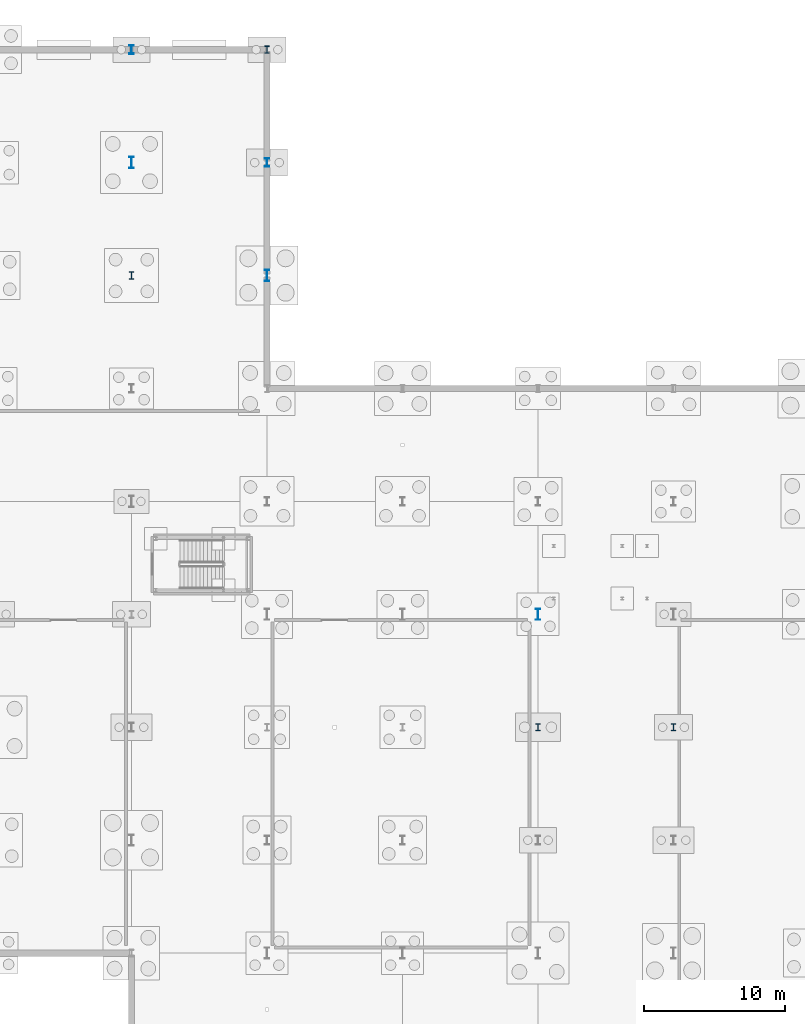
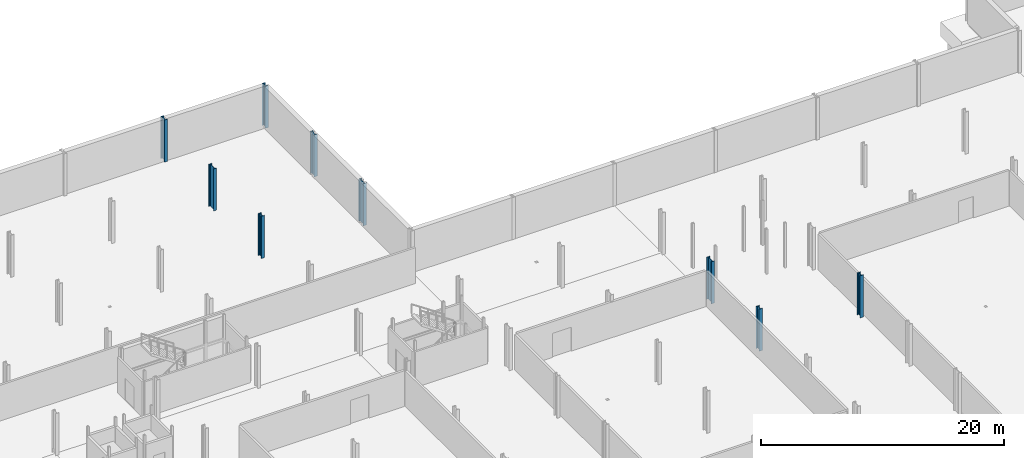
# One storey, part 23 of 47: 9 columns.
"""IFC4 building model written with IfcOpenShell, lengths in metres."""

from ifc_helpers import new_model, si_unit, direction, frame, origin, origin_2d, place, context, subcontext, project, spatial, i_section, extrude, material, material_profile, profile_set, type_object, element, save


model = new_model("IFC4")

# Units and contexts
model_context = context("Model", 3, precision=1e-05, world=origin(), true_north=direction((0.0, 1.0)))
body_context = subcontext(model_context, "Body", "Model", "MODEL_VIEW")
ifc_project = project(units=[si_unit("LENGTHUNIT", "METRE"), si_unit("AREAUNIT", "SQUARE_METRE"), si_unit("VOLUMEUNIT", "CUBIC_METRE"), si_unit("PLANEANGLEUNIT", "RADIAN"), si_unit("MASSUNIT", "GRAM", prefix="KILO")], contexts=[model_context])

# Site, building, storey
site_placement = place(None, origin())
site = spatial("IfcSite", under=ifc_project, at=site_placement, CompositionType="ELEMENT")
building_placement = place(site_placement, origin())
building = spatial("IfcBuilding", under=site, at=building_placement, Name="Alderhovde Museum", CompositionType="ELEMENT")
storey_placement = place(building_placement, frame((0.0, 0.0, -4.5)))
storey = spatial("IfcBuildingStorey", under=building, at=storey_placement, Name="B1", CompositionType="ELEMENT", Elevation=-4.5)

# Columns
ifc_material_1 = material(Name="Steel S355J2", Category="steel")
ifc_material_profile_1 = material_profile(ifc_material_1, i_section(OverallWidth=0.300048828125, OverallDepth=0.800048828125, WebThickness=0.017578125, FlangeThickness=0.032958984375, FilletRadius=0.030029296875, at=origin_2d()), Name="HEB 800")
ifc_profile_set_1 = profile_set([ifc_material_profile_1], Name="Steel S355J2")
column_type_1 = type_object("IfcColumnType", Name="COL-HEB800", PredefinedType="COLUMN", material=ifc_profile_set_1)
for number, where, z_axis, x_axis, name in (
    (1, (48.0, 104.0, 0.0), (0.0, 0.0, 1.0), (1.0, 0.0, 0.0), "B1 Column (48.0, 104.0)"),
    (2, (57.60009765625, 96.0, 0.0), (0.0, 0.0, 1.0), (1.0, 0.0, 0.0), "B1 Column (57.6, 96.0)"),
    (3, (76.800048828125, 72.0, 0.0), (0.0, 0.0, 1.0), (1.0, 0.0, 0.0), "B1 Column (76.8, 72.0)"),
):
    element("IfcColumn", number, at=place(storey_placement, frame(where, z_axis=z_axis, x_axis=x_axis)), inside=storey, type_object=column_type_1, Name=name, PredefinedType="COLUMN", context=body_context, shape_type="SweptSolid", body=[
        extrude(i_section(OverallWidth=0.300048828125, OverallDepth=0.800048828125, WebThickness=0.017578125, FlangeThickness=0.032958984375, FilletRadius=0.030029296875, at=origin_2d()), origin(), (0.0, 0.0, 1.0), 4.219970703125),
    ])
ifc_material_2 = material(Name="Steel S355J2", Category="steel")
ifc_material_profile_2 = material_profile(ifc_material_2, i_section(OverallWidth=0.305908203125, OverallDepth=0.52392578125, WebThickness=0.02099609375, FlangeThickness=0.0400390625, FilletRadius=0.027099609375, at=origin_2d()), Name="HEM 500")
ifc_profile_set_2 = profile_set([ifc_material_profile_2], Name="Steel S355J2")
column_type_2 = type_object("IfcColumnType", Name="COL-HEM500", PredefinedType="COLUMN", material=ifc_profile_set_2)
for number, where, z_axis, x_axis, name in (
    (4, (48.0, 96.0, 0.0), (0.0, 0.0, 1.0), (1.0, 0.0, 0.0), "B1 Column (48.0, 96.0)"),
    (5, (57.60009765625, 112.0, 0.0), (0.0, 0.0, 1.0), (1.0, 0.0, 0.0), "B1 Column (57.6, 112.0)"),
    (6, (76.800048828125, 64.0, 0.0), (0.0, 0.0, 1.0), (1.0, 0.0, 0.0), "B1 Column (76.8, 64.0)"),
    (7, (86.39990234375, 64.0, 0.0), (0.0, 0.0, 1.0), (1.0, 0.0, 0.0), "B1 Column (86.4, 64.0)"),
):
    element("IfcColumn", number, at=place(storey_placement, frame(where, z_axis=z_axis, x_axis=x_axis)), inside=storey, type_object=column_type_2, Name=name, PredefinedType="COLUMN", context=body_context, shape_type="SweptSolid", body=[
        extrude(i_section(OverallWidth=0.305908203125, OverallDepth=0.52392578125, WebThickness=0.02099609375, FlangeThickness=0.0400390625, FilletRadius=0.027099609375, at=origin_2d()), origin(), (0.0, 0.0, 1.0), 4.219970703125),
    ])
ifc_material_3 = material(Name="Steel S355J2", Category="steel")
ifc_material_profile_3 = material_profile(ifc_material_3, i_section(OverallWidth=0.304931640625, OverallDepth=0.6201171875, WebThickness=0.02099609375, FlangeThickness=0.0400390625, FilletRadius=0.027099609375, at=origin_2d()), Name="HEM 600")
ifc_profile_set_3 = profile_set([ifc_material_profile_3], Name="Steel S355J2")
column_type_3 = type_object("IfcColumnType", Name="COL-HEM600", PredefinedType="COLUMN", material=ifc_profile_set_3)
for number, where, z_axis, x_axis, name in (
    (8, (48.0, 112.0, 0.0), (0.0, 0.0, 1.0), (1.0, 0.0, 0.0), "B1 Column (48.0, 112.0)"),
    (9, (57.60009765625, 104.0, 0.0), (0.0, 0.0, 1.0), (1.0, 0.0, 0.0), "B1 Column (57.6, 104.0)"),
):
    element("IfcColumn", number, at=place(storey_placement, frame(where, z_axis=z_axis, x_axis=x_axis)), inside=storey, type_object=column_type_3, Name=name, PredefinedType="COLUMN", context=body_context, shape_type="SweptSolid", body=[
        extrude(i_section(OverallWidth=0.304931640625, OverallDepth=0.6201171875, WebThickness=0.02099609375, FlangeThickness=0.0400390625, FilletRadius=0.027099609375, at=origin_2d()), origin(), (0.0, 0.0, 1.0), 4.219970703125),
    ])

save(model, "model.ifc")
